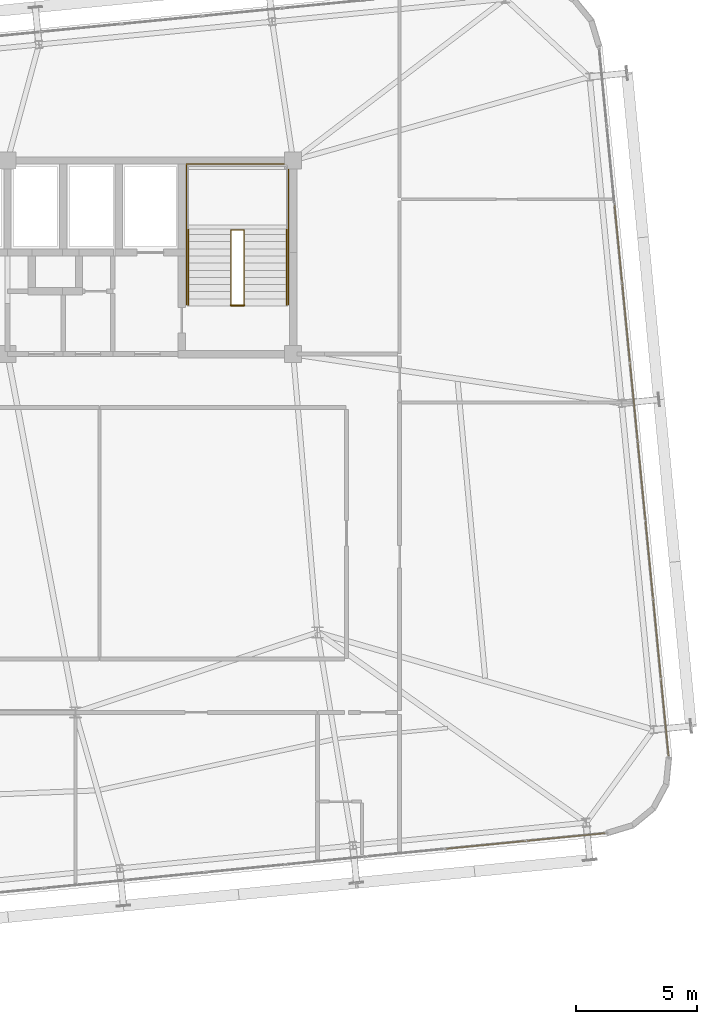
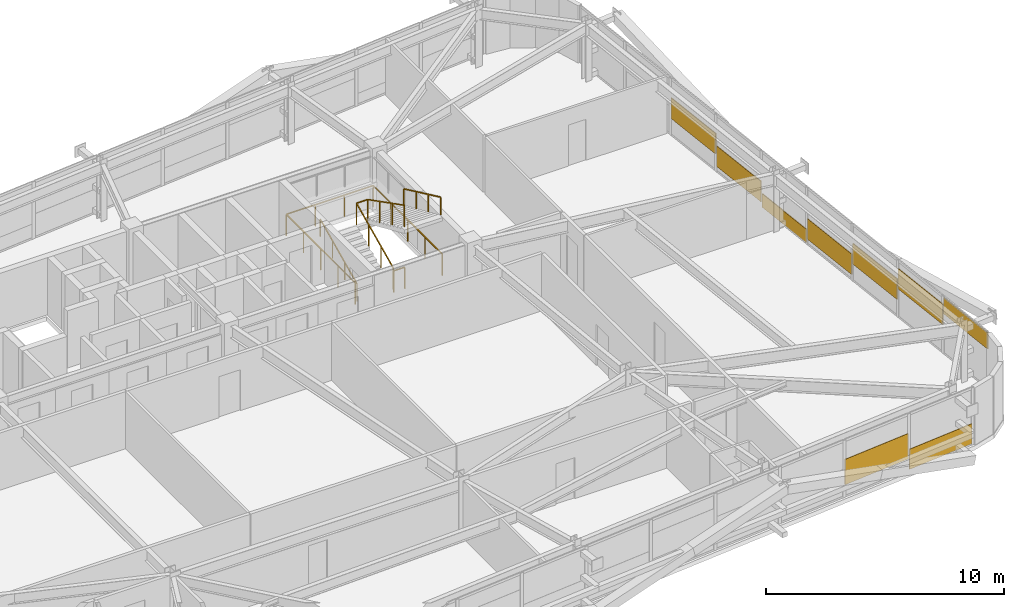
# One storey, part 52 of 53: 9 coverings, 5 railings.
"""IFC4 building model written with IfcOpenShell, lengths in metres."""

from ifc_helpers import new_model, si_unit, direction, frame, origin, origin_2d, place, context, subcontext, project, spatial, rectangle, extrude, source, transform, mapped, material, layer, layer_set, type_object, element, save


model = new_model("IFC4")

# Units and contexts
model_context = context("Model", 3, precision=1e-05, world=origin(), true_north=direction((0.0, 1.0)))
body_context = subcontext(model_context, "Body", "Model", "MODEL_VIEW")
ifc_project = project(units=[si_unit("LENGTHUNIT", "METRE"), si_unit("AREAUNIT", "SQUARE_METRE"), si_unit("VOLUMEUNIT", "CUBIC_METRE"), si_unit("PLANEANGLEUNIT", "RADIAN"), si_unit("MASSUNIT", "GRAM", prefix="KILO")], contexts=[model_context])

# Site, building, storey
site_placement = place(None, origin())
site = spatial("IfcSite", under=ifc_project, at=site_placement, CompositionType="ELEMENT")
building_placement = place(site_placement, origin())
building = spatial("IfcBuilding", under=site, at=building_placement, Name="Taldren Reach Tower", CompositionType="ELEMENT")
storey_placement = place(building_placement, frame((0.0, 0.0, 84.0)))
storey = spatial("IfcBuildingStorey", under=building, at=storey_placement, Name="L25", CompositionType="ELEMENT", Elevation=84.0)

# Railings
ifc_material_1 = material(Name="Steel Gr 350 (C350L0)", Category="steel")
ifc_layer_1 = layer(ifc_material_1, 0.050048828125)
ifc_layer_set_1 = layer_set([ifc_layer_1], Name="Steel Gr 350 (C350L0)")
railing_type_1 = type_object("IfcRailingType", Name="RL-STAIR-GR", PredefinedType="GUARDRAIL", material=ifc_layer_set_1)
railing_1_placement = place(storey_placement, frame((48.429931640625, 26.050048828125, 0.131103515625)))
element("IfcRailing", 1, at=railing_1_placement, inside=storey, type_object=railing_type_1, Name="Stairwell inner guard ST2-L25", PredefinedType="GUARDRAIL", context=body_context, shape_type="SweptSolid", body=[
    extrude(rectangle(XDim=0.047852, YDim=0.047852, at=origin_2d()), frame((0.0, 0.0, 1.09619140625), z_axis=(0.0, 0.905710134349, 0.423897573167), x_axis=(-1.0, 0.0, 0.0)), (0.0, 0.0, 1.0), 3.406005859375),
    extrude(rectangle(XDim=0.047852, YDim=0.047852, at=origin_2d()), frame((0.0, 3.0849609375, 2.5400390625), z_axis=(1.0, 0.0, 0.0), x_axis=(0.0, 1.0, 0.0)), (0.0, 0.0, 1.0), 0.5400390625),
    extrude(rectangle(XDim=0.047852, YDim=0.047852, at=origin_2d()), frame((0.5400390625, 3.0849609375, 2.5400390625), z_axis=(0.0, -0.890645957773, 0.45469745755), x_axis=(1.0, 0.0, 0.0)), (0.0, 0.0, 1.0), 3.463623046875),
    extrude(rectangle(XDim=0.041992, YDim=0.041992, at=origin_2d()), origin(), (0.0, 0.0, 1.0), 1.072021484375),
    extrude(rectangle(XDim=0.041992, YDim=0.041992, at=origin_2d()), frame((0.0, 1.0283203125, 0.481201171875)), (0.0, 0.0, 1.0), 1.072021484375),
    extrude(rectangle(XDim=0.041992, YDim=0.041992, at=origin_2d()), frame((0.0, 2.056640625, 0.962646484375)), (0.0, 0.0, 1.0), 1.072021484375),
    extrude(rectangle(XDim=0.041992, YDim=0.041992, at=origin_2d()), frame((0.0, 3.0849609375, 1.44384765625)), (0.0, 0.0, 1.0), 1.072021484375),
    extrude(rectangle(XDim=0.041992, YDim=0.041992, at=origin_2d()), frame((0.5400390625, 3.0849609375, 1.44384765625)), (0.0, 0.0, 1.0), 1.072021484375),
    extrude(rectangle(XDim=0.041992, YDim=0.041992, at=origin_2d()), frame((0.5400390625, 2.056640625, 1.96875)), (0.0, 0.0, 1.0), 1.072021484375),
    extrude(rectangle(XDim=0.041992, YDim=0.041992, at=origin_2d()), frame((0.5400390625, 1.0283203125, 2.493896484375)), (0.0, 0.0, 1.0), 1.072021484375),
    extrude(rectangle(XDim=0.041992, YDim=0.041992, at=origin_2d()), frame((0.5400390625, 0.0, 3.018798828125)), (0.0, 0.0, 1.0), 1.072021484375),
])
railing_2_placement = place(storey_placement, frame((48.429931640625, 26.010009765625, 0.0)))
element("IfcRailing", 2, at=railing_2_placement, inside=storey, type_object=railing_type_1, Name="Stairwell landing slot guard ST2-L25", PredefinedType="GUARDRAIL", context=body_context, shape_type="SweptSolid", body=[
    extrude(rectangle(XDim=0.047852, YDim=0.047852, at=origin_2d()), frame((0.0, 0.0, 1.09619140625), z_axis=(1.0, 0.0, 0.0), x_axis=(0.0, 1.0, 0.0)), (0.0, 0.0, 1.0), 0.5400390625),
    extrude(rectangle(XDim=0.041992, YDim=0.041992, at=origin_2d()), origin(), (0.0, 0.0, 1.0), 1.072021484375),
    extrude(rectangle(XDim=0.041992, YDim=0.041992, at=origin_2d()), frame((0.5400390625, 0.0, 0.0)), (0.0, 0.0, 1.0), 1.072021484375),
])
railing_3_placement = place(storey_placement, frame((46.590087890625, 26.050048828125, 0.0)))
element("IfcRailing", 3, at=railing_3_placement, inside=storey, type_object=railing_type_1, Name="Stairwell floor opening guard ST2-L25", PredefinedType="GUARDRAIL", context=body_context, shape_type="SweptSolid", body=[
    extrude(rectangle(XDim=0.047852, YDim=0.047852, at=origin_2d()), frame((0.0, 0.0, 1.09619140625), z_axis=(0.0, 1.0, 0.0), x_axis=(-1.0, 0.0, 0.0)), (0.0, 0.0, 1.0), 5.800048828125),
    extrude(rectangle(XDim=0.047852, YDim=0.047852, at=origin_2d()), frame((0.0, 5.800048828125, 1.09619140625), z_axis=(1.0, 0.0, 0.0), x_axis=(0.0, 1.0, 0.0)), (0.0, 0.0, 1.0), 4.219970703125),
    extrude(rectangle(XDim=0.047852, YDim=0.047852, at=origin_2d()), frame((4.219970703125, 5.800048828125, 1.09619140625), z_axis=(0.0, -1.0, 0.0), x_axis=(1.0, 0.0, 0.0)), (0.0, 0.0, 1.0), 5.800048828125),
    extrude(rectangle(XDim=0.041992, YDim=0.041992, at=origin_2d()), origin(), (0.0, 0.0, 1.0), 1.072021484375),
    extrude(rectangle(XDim=0.041992, YDim=0.041992, at=origin_2d()), frame((0.0, 1.449951171875, 0.0)), (0.0, 0.0, 1.0), 1.072021484375),
    extrude(rectangle(XDim=0.041992, YDim=0.041992, at=origin_2d()), frame((0.0, 2.89990234375, 0.0)), (0.0, 0.0, 1.0), 1.072021484375),
    extrude(rectangle(XDim=0.041992, YDim=0.041992, at=origin_2d()), frame((0.0, 4.35009765625, 0.0)), (0.0, 0.0, 1.0), 1.072021484375),
    extrude(rectangle(XDim=0.041992, YDim=0.041992, at=origin_2d()), frame((0.0, 5.800048828125, 0.0)), (0.0, 0.0, 1.0), 1.072021484375),
    extrude(rectangle(XDim=0.041992, YDim=0.041992, at=origin_2d()), frame((1.40673828125, 5.800048828125, 0.0)), (0.0, 0.0, 1.0), 1.072021484375),
    extrude(rectangle(XDim=0.041992, YDim=0.041992, at=origin_2d()), frame((2.813232421875, 5.800048828125, 0.0)), (0.0, 0.0, 1.0), 1.072021484375),
    extrude(rectangle(XDim=0.041992, YDim=0.041992, at=origin_2d()), frame((4.219970703125, 5.800048828125, 0.0)), (0.0, 0.0, 1.0), 1.072021484375),
    extrude(rectangle(XDim=0.041992, YDim=0.041992, at=origin_2d()), frame((4.219970703125, 4.35009765625, 0.0)), (0.0, 0.0, 1.0), 1.072021484375),
    extrude(rectangle(XDim=0.041992, YDim=0.041992, at=origin_2d()), frame((4.219970703125, 2.89990234375, 0.0)), (0.0, 0.0, 1.0), 1.072021484375),
    extrude(rectangle(XDim=0.041992, YDim=0.041992, at=origin_2d()), frame((4.219970703125, 1.449951171875, 0.0)), (0.0, 0.0, 1.0), 1.072021484375),
    extrude(rectangle(XDim=0.041992, YDim=0.041992, at=origin_2d()), frame((4.219970703125, 0.0, 0.0)), (0.0, 0.0, 1.0), 1.072021484375),
])
ifc_material_2 = material(Name="Stainless Steel Gr 316", Category="steel")
ifc_layer_2 = layer(ifc_material_2, 0.048095703125)
ifc_layer_set_2 = layer_set([ifc_layer_2], Name="Stainless Steel Gr 316")
railing_type_2 = type_object("IfcRailingType", Name="RL-STAIR-HR", PredefinedType="HANDRAIL", material=ifc_layer_set_2)
railing_4_placement = place(storey_placement, frame((46.669921875, 26.050048828125, 0.131103515625)))
element("IfcRailing", 4, at=railing_4_placement, inside=storey, type_object=railing_type_2, Name="Stair flight handrail ST2-L25-1", PredefinedType="HANDRAIL", context=body_context, shape_type="SweptSolid", body=[
    extrude(rectangle(XDim=0.047852, YDim=0.047852, at=origin_2d()), frame((0.0, 0.0, 0.89599609375), z_axis=(0.0, 0.905710134349, 0.423897573167), x_axis=(-1.0, 0.0, 0.0)), (0.0, 0.0, 1.0), 3.406005859375),
    extrude(rectangle(XDim=0.041992, YDim=0.041992, at=origin_2d()), origin(), (0.0, 0.0, 1.0), 0.871826171875),
    extrude(rectangle(XDim=0.041992, YDim=0.041992, at=origin_2d()), frame((0.0, 1.0283203125, 0.481201171875)), (0.0, 0.0, 1.0), 0.871826171875),
    extrude(rectangle(XDim=0.041992, YDim=0.041992, at=origin_2d()), frame((0.0, 2.056640625, 0.962646484375)), (0.0, 0.0, 1.0), 0.871826171875),
    extrude(rectangle(XDim=0.041992, YDim=0.041992, at=origin_2d()), frame((0.0, 3.0849609375, 1.44384765625)), (0.0, 0.0, 1.0), 0.871826171875),
])
railing_5_placement = place(storey_placement, frame((50.72998046875, 29.135009765625, 1.706298828125)))
element("IfcRailing", 5, at=railing_5_placement, inside=storey, type_object=railing_type_2, Name="Stair flight handrail ST2-L25-2", PredefinedType="HANDRAIL", context=body_context, shape_type="SweptSolid", body=[
    extrude(rectangle(XDim=0.047852, YDim=0.047852, at=origin_2d()), frame((0.0, 0.0, 0.89599609375), z_axis=(0.0, -0.905737652094, 0.423838773095), x_axis=(1.0, 0.0, 0.0)), (0.0, 0.0, 1.0), 3.406005859375),
    extrude(rectangle(XDim=0.041992, YDim=0.041992, at=origin_2d()), origin(), (0.0, 0.0, 1.0), 0.871826171875),
    extrude(rectangle(XDim=0.041992, YDim=0.041992, at=origin_2d()), frame((0.0, -1.0283203125, 0.481201171875)), (0.0, 0.0, 1.0), 0.871826171875),
    extrude(rectangle(XDim=0.041992, YDim=0.041992, at=origin_2d()), frame((0.0, -2.056640625, 0.96240234375)), (0.0, 0.0, 1.0), 0.871826171875),
    extrude(rectangle(XDim=0.041992, YDim=0.041992, at=origin_2d()), frame((0.0, -3.0849609375, 1.443603515625)), (0.0, 0.0, 1.0), 0.871826171875),
])

# Coverings
ifc_material_3 = material(Name="Pale Champagne Fluoropolymer Aluminium Spandrel Cladding", Category="aluminium")
ifc_layer_3 = layer(ifc_material_3, 0.0439453125)
ifc_layer_set_3 = layer_set([ifc_layer_3], Name="Pale Champagne Fluoropolymer Aluminium Spandrel Cladding")
covering_type = type_object("IfcCoveringType", Name="CV-CLAD-044", PredefinedType="CLADDING", material=ifc_layer_set_3)
shared_shape_1 = source(origin(), body_context, "Body", "SweptSolid", [
    extrude(rectangle(XDim=3.268310546875, YDim=0.0439453125, at=origin_2d()), origin(), (0.0, 0.0, 1.0), 1.3046875),
])
covering_1_placement = place(storey_placement, frame((58.972900390625, 3.7255859375, 0.6220703125), z_axis=(0.0, 0.0, 1.0), x_axis=(0.995227390247, 0.097582999046, 0.0)))
element("IfcCovering", 6, at=covering_1_placement, inside=storey, type_object=covering_type, Name="Diagrid closure cladding strip CW-3 panel 14.1 1", PredefinedType="CLADDING", context=body_context, shape_type="MappedRepresentation", body=[
    mapped(shared_shape_1, transform((0.0, 0.0, 0.0), scale=1.0)),
])
shared_shape_2 = source(origin(), body_context, "Body", "SweptSolid", [
    extrude(rectangle(XDim=3.23583984375, YDim=0.0439453125, at=origin_2d()), origin(), (0.0, 0.0, 1.0), 1.034912109375),
])
covering_2_placement = place(storey_placement, frame((62.274169921875, 4.04931640625, 0.05517578125), z_axis=(0.0, 0.0, 1.0), x_axis=(0.995227390247, 0.097582999046, 0.0)))
element("IfcCovering", 7, at=covering_2_placement, inside=storey, type_object=covering_type, Name="Diagrid closure cladding strip CW-3 panel 15.1 1", PredefinedType="CLADDING", context=body_context, shape_type="MappedRepresentation", body=[
    mapped(shared_shape_2, transform((0.0, 0.0, 0.0), scale=1.0)),
])
shared_shape_3 = source(origin(), body_context, "Body", "SweptSolid", [
    extrude(rectangle(XDim=3.18017578125, YDim=0.0439453125, at=origin_2d()), origin(), (0.0, 0.0, 1.0), 0.83056640625),
])
covering_3_placement = place(storey_placement, frame((66.35498046875, 8.986328125, 2.04443359375), z_axis=(0.0, 0.0, 1.0), x_axis=(-0.09758274098, 0.99522741555, 0.0)))
element("IfcCovering", 8, at=covering_3_placement, inside=storey, type_object=covering_type, Name="Diagrid closure cladding strip CW-3 panel 1.1 1", PredefinedType="CLADDING", context=body_context, shape_type="MappedRepresentation", body=[
    mapped(shared_shape_3, transform((0.0, 0.0, 0.0), scale=1.0)),
])
shared_shape_4 = source(origin(), body_context, "Body", "SweptSolid", [
    extrude(rectangle(XDim=3.212890625, YDim=0.0439453125, at=origin_2d()), origin(), (0.0, 0.0, 1.0), 1.053466796875),
])
for number, where, z_axis, x_axis, name in (
    (9, (66.03662109375, 12.232177734375, 1.45654296875), (0.0, 0.0, 1.0), (-0.09758274098, 0.99522741555, 0.0), "Diagrid closure cladding strip CW-3 panel 2.1 1"),
    (10, (65.716796875, 15.494384765625, 0.869140625), (0.0, 0.0, 1.0), (-0.09758274098, 0.99522741555, 0.0), "Diagrid closure cladding strip CW-3 panel 3.1 1"),
    (11, (65.39697265625, 18.756591796875, 0.28125), (0.0, 0.0, 1.0), (-0.09758274098, 0.99522741555, 0.0), "Diagrid closure cladding strip CW-3 panel 4.1 1"),
    (12, (64.757080078125, 25.28076171875, 0.28125), (0.0, 0.0, 1.0), (-0.09758274098, 0.99522741555, 0.0), "Diagrid closure cladding strip CW-3 panel 6.1 1"),
    (13, (64.437255859375, 28.54296875, 0.869140625), (0.0, 0.0, 1.0), (-0.09758274098, 0.99522741555, 0.0), "Diagrid closure cladding strip CW-3 panel 7.1 1"),
):
    element("IfcCovering", number, at=place(storey_placement, frame(where, z_axis=z_axis, x_axis=x_axis)), inside=storey, type_object=covering_type, Name=name, PredefinedType="CLADDING", context=body_context, shape_type="MappedRepresentation", body=[
        mapped(shared_shape_4, transform((0.0, 0.0, 0.0), scale=1.0)),
    ])
shared_shape_5 = source(origin(), body_context, "Body", "SweptSolid", [
    extrude(rectangle(XDim=3.212890625, YDim=0.0439453125, at=origin_2d()), origin(), (0.0, 0.0, 1.0), 0.691650390625),
])
covering_4_placement = place(storey_placement, frame((65.0771484375, 22.0185546875, 0.05517578125), z_axis=(0.0, 0.0, 1.0), x_axis=(-0.09758274098, 0.99522741555, 0.0)))
element("IfcCovering", 14, at=covering_4_placement, inside=storey, type_object=covering_type, Name="Diagrid closure cladding strip CW-3 panel 5.1 1", PredefinedType="CLADDING", context=body_context, shape_type="MappedRepresentation", body=[
    mapped(shared_shape_5, transform((0.0, 0.0, 0.0), scale=1.0)),
])

save(model, "model.ifc")
